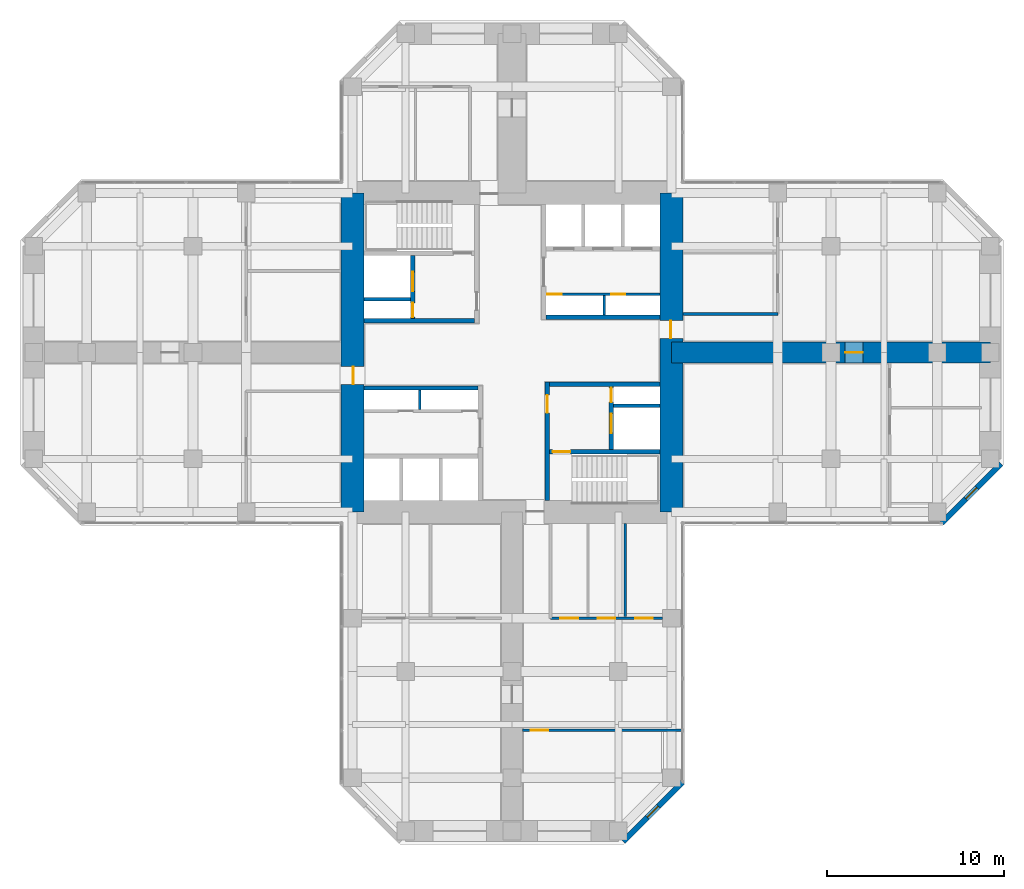
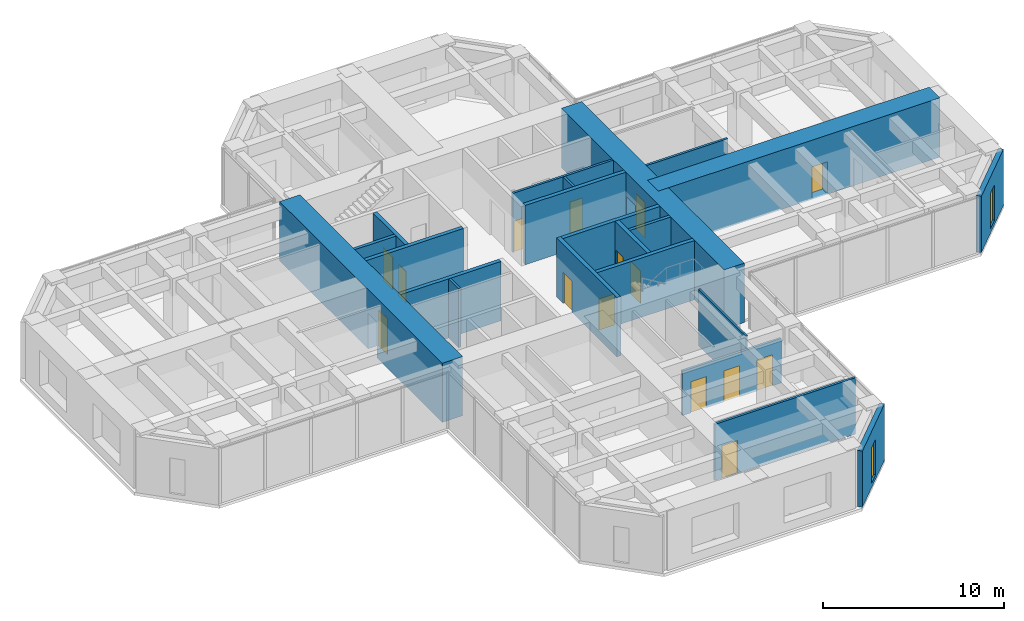
# One storey, part 9 of 12: 22 walls, 15 doors, 2 windows, 17 openings.
"""IFC4 building model written with IfcOpenShell, lengths in metres."""

from ifc_helpers import new_model, si_unit, direction, frame, frame_2d, origin, place, context, subcontext, project, spatial, rectangle, hollow_rectangle, extrude, material, layer, layer_set, constituent, constituent_set, type_object, element, fill, save


model = new_model("IFC4")

# Units and contexts
model_context = context("Model", 3, precision=1e-05, world=origin(), true_north=direction((0.0, 1.0)))
body_context = subcontext(model_context, "Body", "Model", "MODEL_VIEW")
ifc_project = project(units=[si_unit("LENGTHUNIT", "METRE"), si_unit("AREAUNIT", "SQUARE_METRE"), si_unit("VOLUMEUNIT", "CUBIC_METRE"), si_unit("PLANEANGLEUNIT", "RADIAN"), si_unit("MASSUNIT", "GRAM", prefix="KILO")], contexts=[model_context])

# Site, building, storey
site_placement = place(None, origin())
site = spatial("IfcSite", under=ifc_project, at=site_placement, CompositionType="ELEMENT")
building_placement = place(site_placement, origin())
building = spatial("IfcBuilding", under=site, at=building_placement, Name="Torre Cruceta", CompositionType="ELEMENT")
storey_placement = place(building_placement, frame((0.0, 0.0, 120.5)))
storey = spatial("IfcBuildingStorey", under=building, at=storey_placement, Name="L29", CompositionType="ELEMENT", Elevation=120.5)

# Walls
ifc_material_1 = material(Name="Concrete G60 (fck 60 MPa)", Category="concrete")
ifc_layer_1 = layer(ifc_material_1, 0.25)
ifc_layer_set_1 = layer_set([ifc_layer_1], Name="Concrete G60 (fck 60 MPa)")
wall_type_1 = type_object("IfcWallType", Name="CORE INNER WALL 250 G60", PredefinedType="SHEAR", material=ifc_layer_set_1)
wall_1_placement = place(storey_placement, frame((1.925048828125, 2.0, 0.0), z_axis=(0.0, 0.0, 1.0), x_axis=(1.0, 0.0, 0.0)))
element("IfcWall", 1, at=wall_1_placement, inside=storey, type_object=wall_type_1, Name="CW4 L29 NE-CV", PredefinedType="SHEAR", context=body_context, shape_type="SweptSolid", body=[
    extrude(rectangle(XDim=6.425048828125, YDim=0.25, at=frame_2d((3.21240234375, 0.0))), origin(), (0.0, 0.0, 1.0), 4.0),
])
wall_2_placement = place(storey_placement, frame((-2.125, 1.800048828125, 0.0), z_axis=(0.0, 0.0, 1.0), x_axis=(-1.0, 0.0, 0.0)))
element("IfcWall", 2, at=wall_2_placement, inside=storey, type_object=wall_type_1, Name="CW4 L29 NW-CV", PredefinedType="SHEAR", context=body_context, shape_type="SweptSolid", body=[
    extrude(rectangle(XDim=6.22509765625, YDim=0.25, at=frame_2d((3.112548828125, 0.0))), origin(), (0.0, 0.0, 1.0), 4.0),
])

# Wall, openings, doors
wall_3_placement = place(storey_placement, frame((-5.60009765625, 1.925048828125, 0.0), z_axis=(0.0, 0.0, 1.0), x_axis=(0.0, 1.0, 0.0)))
wall_3 = element("IfcWall", 3, at=wall_3_placement, inside=storey, type_object=wall_type_1, Name="CW4 L29 NW-FU", PredefinedType="SHEAR", context=body_context, shape_type="SweptSolid", body=[
    extrude(rectangle(XDim=3.550048828125, YDim=0.25, at=frame_2d((1.77490234375, 0.0))), origin(), (0.0, 0.0, 1.0), 4.0),
])
opening_1_placement = place(wall_3_placement, frame((1.52490234375, 0.0, 0.0)))
opening_1 = element("IfcOpeningElement", 4, at=opening_1_placement, cuts=wall_3, Name="Opening LD1", PredefinedType="OPENING", context=body_context, shape_type="SweptSolid", body=[
    extrude(rectangle(XDim=1.10009765625, YDim=2.199951171875, at=frame_2d((0.550048828125, 1.10009765625))), frame((0.0, 0.135009765625, 0.0), z_axis=(0.0, -1.0, 0.0), x_axis=(1.0, 0.0, 0.0)), (0.0, 0.0, 1.0), 0.27001953125),
])
opening_2_placement = place(wall_3_placement, frame((0.074951171875, 0.0, 0.0)))
opening_2 = element("IfcOpeningElement", 5, at=opening_2_placement, cuts=wall_3, Name="Opening D5", PredefinedType="OPENING", context=body_context, shape_type="SweptSolid", body=[
    extrude(rectangle(XDim=0.800048828125, YDim=2.10009765625, at=frame_2d((0.39990234375, 1.050048828125))), frame((0.0, 0.135009765625, 0.0), z_axis=(0.0, -1.0, 0.0), x_axis=(1.0, 0.0, 0.0)), (0.0, 0.0, 1.0), 0.27001953125),
])
ifc_material_2 = material(Name="Stainless steel 1.4401", Category="steel")
door_type_1 = type_object("IfcDoorType", Name="LIFT LANDING DOOR 1100X2200", OperationType="DOUBLE_DOOR_SLIDING", PredefinedType="DOOR", material=ifc_material_2)
door_1_placement = place(opening_1_placement, origin())
door_1 = element("IfcDoor", 6, at=door_1_placement, inside=storey, type_object=door_type_1, Name="Lift landing door FL1", OperationType="DOUBLE_DOOR_SLIDING", OverallHeight=2.199951171875, OverallWidth=1.10009765625, PredefinedType="DOOR", context=body_context, shape_type="SweptSolid", body=[
    extrude(rectangle(XDim=1.10009765625, YDim=2.199951171875, at=frame_2d((0.550048828125, 1.10009765625))), frame((0.0, 0.02490234375, 0.0), z_axis=(0.0, -1.0, 0.0), x_axis=(1.0, 0.0, 0.0)), (0.0, 0.0, 1.0), 0.050048828125),
])
fill(opening_1, door_1)
ifc_material_3 = material(Name="Steel DX51D", Category="steel")
ifc_constituent_1 = constituent(ifc_material_3, Name="Leaf and frame")
ifc_material_4 = material(Name="Polyester powder coating", Category="paint")
ifc_constituent_2 = constituent(ifc_material_4, Name="Finish")
ifc_constituent_set_1 = constituent_set(constituents=[ifc_constituent_1, ifc_constituent_2], Name="Steel fire door")
door_type_2 = type_object("IfcDoorType", Name="RISER ACCESS DOOR 800X2100", OperationType="SINGLE_SWING_LEFT", PredefinedType="DOOR", material=ifc_constituent_set_1)
door_2_placement = place(opening_2_placement, origin())
door_2 = element("IfcDoor", 7, at=door_2_placement, inside=storey, type_object=door_type_2, Name="D5 L29 NW-RISER", OperationType="SINGLE_SWING_LEFT", OverallHeight=2.10009765625, OverallWidth=0.800048828125, PredefinedType="DOOR", context=body_context, shape_type="SweptSolid", body=[
    extrude(rectangle(XDim=0.800048828125, YDim=2.10009765625, at=frame_2d((0.39990234375, 1.050048828125))), frame((0.0, 0.02490234375, 0.0), z_axis=(0.0, -1.0, 0.0), x_axis=(1.0, 0.0, 0.0)), (0.0, 0.0, 1.0), 0.050048828125),
])
fill(opening_2, door_2)

# Wall
wall_4_placement = place(storey_placement, frame((-1.925048828125, -2.0, 0.0), z_axis=(0.0, 0.0, 1.0), x_axis=(-1.0, 0.0, 0.0)))
element("IfcWall", 8, at=wall_4_placement, inside=storey, type_object=wall_type_1, Name="CW4 L29 SW-CV", PredefinedType="SHEAR", context=body_context, shape_type="SweptSolid", body=[
    extrude(rectangle(XDim=6.425048828125, YDim=0.25, at=frame_2d((3.21240234375, 0.0))), origin(), (0.0, 0.0, 1.0), 4.0),
])

# Wall, opening, door
wall_5_placement = place(storey_placement, frame((2.0, -1.675048828125, 0.0), z_axis=(0.0, 0.0, 1.0), x_axis=(0.0, -1.0, 0.0)))
wall_5 = element("IfcWall", 9, at=wall_5_placement, inside=storey, type_object=wall_type_1, Name="CW4 L29 SE-CU", PredefinedType="SHEAR", context=body_context, shape_type="SweptSolid", body=[
    extrude(rectangle(XDim=6.675048828125, YDim=0.25, at=frame_2d((3.33740234375, 0.0))), origin(), (0.0, 0.0, 1.0), 4.0),
])
opening_3_placement = place(wall_5_placement, frame((0.72509765625, 0.0, 0.0)))
opening_3 = element("IfcOpeningElement", 10, at=opening_3_placement, cuts=wall_5, Name="Opening D3", PredefinedType="OPENING", context=body_context, shape_type="SweptSolid", body=[
    extrude(rectangle(XDim=1.0, YDim=2.10009765625, at=frame_2d((0.5, 1.050048828125))), frame((0.0, 0.135009765625, 0.0), z_axis=(0.0, -1.0, 0.0), x_axis=(1.0, 0.0, 0.0)), (0.0, 0.0, 1.0), 0.27001953125),
])
ifc_material_5 = material(Name="Steel DX51D", Category="steel")
ifc_constituent_3 = constituent(ifc_material_5, Name="Leaf and frame")
ifc_material_6 = material(Name="Polyester powder coating", Category="paint")
ifc_constituent_4 = constituent(ifc_material_6, Name="Finish")
ifc_constituent_set_2 = constituent_set(constituents=[ifc_constituent_3, ifc_constituent_4], Name="Steel fire door")
door_type_3 = type_object("IfcDoorType", Name="FIRE DOOR 1000X2100", OperationType="SINGLE_SWING_LEFT", PredefinedType="DOOR", material=ifc_constituent_set_2)
door_3_placement = place(opening_3_placement, origin())
door_3 = element("IfcDoor", 11, at=door_3_placement, inside=storey, type_object=door_type_3, Name="D3 L29 SE-LOBBY", OperationType="SINGLE_SWING_LEFT", OverallHeight=2.10009765625, OverallWidth=1.0, PredefinedType="DOOR", context=body_context, shape_type="SweptSolid", body=[
    extrude(rectangle(XDim=1.0, YDim=2.10009765625, at=frame_2d((0.5, 1.050048828125))), frame((0.0, 0.02490234375, 0.0), z_axis=(0.0, -1.0, 0.0), x_axis=(1.0, 0.0, 0.0)), (0.0, 0.0, 1.0), 0.050048828125),
])
fill(opening_3, door_3)

# Wall
wall_6_placement = place(storey_placement, frame((2.125, -1.800048828125, 0.0), z_axis=(0.0, 0.0, 1.0), x_axis=(1.0, 0.0, 0.0)))
element("IfcWall", 12, at=wall_6_placement, inside=storey, type_object=wall_type_1, Name="CW4 L29 SE-CV", PredefinedType="SHEAR", context=body_context, shape_type="SweptSolid", body=[
    extrude(rectangle(XDim=6.22509765625, YDim=0.25, at=frame_2d((3.112548828125, 0.0))), origin(), (0.0, 0.0, 1.0), 4.0),
])

# Wall, opening, door
wall_7_placement = place(storey_placement, frame((2.125, -5.60009765625, 0.0), z_axis=(0.0, 0.0, 1.0), x_axis=(1.0, 0.0, 0.0)))
wall_7 = element("IfcWall", 13, at=wall_7_placement, inside=storey, type_object=wall_type_1, Name="CW4 L29 SE-SV", PredefinedType="SHEAR", context=body_context, shape_type="SweptSolid", body=[
    extrude(rectangle(XDim=6.22509765625, YDim=0.25, at=frame_2d((3.112548828125, 0.0))), origin(), (0.0, 0.0, 1.0), 4.0),
])
opening_4_placement = place(wall_7_placement, frame((0.175048828125, 0.0, 0.0)))
opening_4 = element("IfcOpeningElement", 14, at=opening_4_placement, cuts=wall_7, Name="Opening D3", PredefinedType="OPENING", context=body_context, shape_type="SweptSolid", body=[
    extrude(rectangle(XDim=1.0, YDim=2.10009765625, at=frame_2d((0.5, 1.050048828125))), frame((0.0, 0.135009765625, 0.0), z_axis=(0.0, -1.0, 0.0), x_axis=(1.0, 0.0, 0.0)), (0.0, 0.0, 1.0), 0.27001953125),
])
door_4_placement = place(opening_4_placement, frame((1.0, 0.0, 0.0), z_axis=(0.0, 0.0, 1.0), x_axis=(-1.0, 0.0, 0.0)))
door_4 = element("IfcDoor", 15, at=door_4_placement, inside=storey, type_object=door_type_3, Name="D3 L29 SE-STAIR", OperationType="SINGLE_SWING_RIGHT", OverallHeight=2.10009765625, OverallWidth=1.0, PredefinedType="DOOR", context=body_context, shape_type="SweptSolid", body=[
    extrude(rectangle(XDim=1.0, YDim=2.10009765625, at=frame_2d((0.5, 1.050048828125))), frame((0.0, 0.025146484375, 0.0), z_axis=(0.0, -1.0, 0.0), x_axis=(1.0, 0.0, 0.0)), (0.0, 0.0, 1.0), 0.050048828125),
])
fill(opening_4, door_4)

# Wall, openings, doors
wall_8_placement = place(storey_placement, frame((5.60009765625, -1.925048828125, 0.0), z_axis=(0.0, 0.0, 1.0), x_axis=(0.0, -1.0, 0.0)))
wall_8 = element("IfcWall", 16, at=wall_8_placement, inside=storey, type_object=wall_type_1, Name="CW4 L29 SE-FU", PredefinedType="SHEAR", context=body_context, shape_type="SweptSolid", body=[
    extrude(rectangle(XDim=3.550048828125, YDim=0.25, at=frame_2d((1.77490234375, 0.0))), origin(), (0.0, 0.0, 1.0), 4.0),
])
opening_5_placement = place(wall_8_placement, frame((1.52490234375, 0.0, 0.0)))
opening_5 = element("IfcOpeningElement", 17, at=opening_5_placement, cuts=wall_8, Name="Opening LD1", PredefinedType="OPENING", context=body_context, shape_type="SweptSolid", body=[
    extrude(rectangle(XDim=1.10009765625, YDim=2.199951171875, at=frame_2d((0.550048828125, 1.10009765625))), frame((0.0, 0.135009765625, 0.0), z_axis=(0.0, -1.0, 0.0), x_axis=(1.0, 0.0, 0.0)), (0.0, 0.0, 1.0), 0.27001953125),
])
opening_6_placement = place(wall_8_placement, frame((0.074951171875, 0.0, 0.0)))
opening_6 = element("IfcOpeningElement", 18, at=opening_6_placement, cuts=wall_8, Name="Opening D5", PredefinedType="OPENING", context=body_context, shape_type="SweptSolid", body=[
    extrude(rectangle(XDim=0.800048828125, YDim=2.10009765625, at=frame_2d((0.39990234375, 1.050048828125))), frame((0.0, 0.135009765625, 0.0), z_axis=(0.0, -1.0, 0.0), x_axis=(1.0, 0.0, 0.0)), (0.0, 0.0, 1.0), 0.27001953125),
])
door_5_placement = place(opening_5_placement, origin())
door_5 = element("IfcDoor", 19, at=door_5_placement, inside=storey, type_object=door_type_1, Name="Lift landing door FL2", OperationType="DOUBLE_DOOR_SLIDING", OverallHeight=2.199951171875, OverallWidth=1.10009765625, PredefinedType="DOOR", context=body_context, shape_type="SweptSolid", body=[
    extrude(rectangle(XDim=1.10009765625, YDim=2.199951171875, at=frame_2d((0.550048828125, 1.10009765625))), frame((0.0, 0.02490234375, 0.0), z_axis=(0.0, -1.0, 0.0), x_axis=(1.0, 0.0, 0.0)), (0.0, 0.0, 1.0), 0.050048828125),
])
fill(opening_5, door_5)
door_6_placement = place(opening_6_placement, origin())
door_6 = element("IfcDoor", 20, at=door_6_placement, inside=storey, type_object=door_type_2, Name="D5 L29 SE-RISER", OperationType="SINGLE_SWING_LEFT", OverallHeight=2.10009765625, OverallWidth=0.800048828125, PredefinedType="DOOR", context=body_context, shape_type="SweptSolid", body=[
    extrude(rectangle(XDim=0.800048828125, YDim=2.10009765625, at=frame_2d((0.39990234375, 1.050048828125))), frame((0.0, 0.02490234375, 0.0), z_axis=(0.0, -1.0, 0.0), x_axis=(1.0, 0.0, 0.0)), (0.0, 0.0, 1.0), 0.050048828125),
])
fill(opening_6, door_6)

# Wall, opening, door
ifc_material_7 = material(Name="Concrete G60 (fck 60 MPa)", Category="concrete")
ifc_layer_2 = layer(ifc_material_7, 1.300048828125)
ifc_layer_set_2 = layer_set([ifc_layer_2], Name="Concrete G60 (fck 60 MPa)")
wall_type_2 = type_object("IfcWallType", Name="CORE WALL 1300 G60", PredefinedType="SHEAR", material=ifc_layer_set_2)
wall_9_placement = place(storey_placement, frame((9.0, -9.0, 0.0), z_axis=(0.0, 0.0, 1.0), x_axis=(0.0, 1.0, 0.0)))
wall_9 = element("IfcWall", 21, at=wall_9_placement, inside=storey, type_object=wall_type_2, Name="CW1 L29 CW-E", PredefinedType="SHEAR", context=body_context, shape_type="SweptSolid", body=[
    extrude(rectangle(XDim=18.0, YDim=1.300048828125, at=frame_2d((9.0, 0.0))), origin(), (0.0, 0.0, 1.0), 4.0),
])
opening_7_placement = place(wall_9_placement, frame((9.800048828125, 0.0, 0.0)))
opening_7 = element("IfcOpeningElement", 22, at=opening_7_placement, cuts=wall_9, Name="Opening D4", PredefinedType="OPENING", context=body_context, shape_type="SweptSolid", body=[
    extrude(rectangle(XDim=1.0, YDim=2.39990234375, at=frame_2d((0.5, 1.199951171875))), frame((0.0, 0.659912109375, 0.0), z_axis=(0.0, -1.0, 0.0), x_axis=(1.0, 0.0, 0.0)), (0.0, 0.0, 1.0), 1.320068359375),
])
ifc_material_8 = material(Name="Steel DX51D", Category="steel")
ifc_constituent_5 = constituent(ifc_material_8, Name="Leaf and frame")
ifc_material_9 = material(Name="Polyester powder coating", Category="paint")
ifc_constituent_6 = constituent(ifc_material_9, Name="Finish")
ifc_constituent_set_3 = constituent_set(constituents=[ifc_constituent_5, ifc_constituent_6], Name="Steel fire door")
door_type_4 = type_object("IfcDoorType", Name="CORE ARM DOOR 1000X2400", OperationType="SINGLE_SWING_RIGHT", PredefinedType="DOOR", material=ifc_constituent_set_3)
door_7_placement = place(opening_7_placement, frame((1.0, 0.0, 0.0), z_axis=(0.0, 0.0, 1.0), x_axis=(-1.0, 0.0, 0.0)))
door_7 = element("IfcDoor", 23, at=door_7_placement, inside=storey, type_object=door_type_4, Name="D4 L29 CW-E", OperationType="SINGLE_SWING_RIGHT", OverallHeight=2.39990234375, OverallWidth=1.0, PredefinedType="DOOR", context=body_context, shape_type="SweptSolid", body=[
    extrude(rectangle(XDim=1.0, YDim=2.39990234375, at=frame_2d((0.5, 1.199951171875))), frame((0.0, -0.005126953125, 0.0), z_axis=(0.0, -1.0, 0.0), x_axis=(1.0, 0.0, 0.0)), (0.0, 0.0, 1.0), 0.050048828125),
])
fill(opening_7, door_7)

wall_10_placement = place(storey_placement, frame((-9.0, 9.0, 0.0), z_axis=(0.0, 0.0, 1.0), x_axis=(0.0, -1.0, 0.0)))
wall_10 = element("IfcWall", 24, at=wall_10_placement, inside=storey, type_object=wall_type_2, Name="CW1 L29 CW-W", PredefinedType="SHEAR", context=body_context, shape_type="SweptSolid", body=[
    extrude(rectangle(XDim=18.0, YDim=1.300048828125, at=frame_2d((9.0, 0.0))), origin(), (0.0, 0.0, 1.0), 4.0),
])
opening_8_placement = place(wall_10_placement, frame((9.800048828125, 0.0, 0.0)))
opening_8 = element("IfcOpeningElement", 25, at=opening_8_placement, cuts=wall_10, Name="Opening D4", PredefinedType="OPENING", context=body_context, shape_type="SweptSolid", body=[
    extrude(rectangle(XDim=1.0, YDim=2.39990234375, at=frame_2d((0.5, 1.199951171875))), frame((0.0, 0.659912109375, 0.0), z_axis=(0.0, -1.0, 0.0), x_axis=(1.0, 0.0, 0.0)), (0.0, 0.0, 1.0), 1.320068359375),
])
door_8_placement = place(opening_8_placement, frame((1.0, 0.0, 0.0), z_axis=(0.0, 0.0, 1.0), x_axis=(-1.0, 0.0, 0.0)))
door_8 = element("IfcDoor", 26, at=door_8_placement, inside=storey, type_object=door_type_4, Name="D4 L29 CW-W", OperationType="SINGLE_SWING_RIGHT", OverallHeight=2.39990234375, OverallWidth=1.0, PredefinedType="DOOR", context=body_context, shape_type="SweptSolid", body=[
    extrude(rectangle(XDim=1.0, YDim=2.39990234375, at=frame_2d((0.5, 1.199951171875))), frame((0.0, -0.005126953125, 0.0), z_axis=(0.0, -1.0, 0.0), x_axis=(1.0, 0.0, 0.0)), (0.0, 0.0, 1.0), 0.050048828125),
])
fill(opening_8, door_8)

# Wall, opening, window
ifc_material_10 = material(Name="Concrete G30 (fck 30 MPa)", Category="concrete")
ifc_layer_3 = layer(ifc_material_10, 0.300048828125)
ifc_layer_set_3 = layer_set([ifc_layer_3], Name="Concrete G30 (fck 30 MPa)")
wall_type_3 = type_object("IfcWallType", Name="EXPOSED CONCRETE FACADE WALL 300", PredefinedType="SOLIDWALL", material=ifc_layer_set_3)
wall_11_placement = place(storey_placement, frame((24.2568359375, -9.6201171875, 0.0), z_axis=(0.0, 0.0, 1.0), x_axis=(0.707106781187, 0.707106781187, 0.0)))
wall_11 = element("IfcWall", 27, at=wall_11_placement, inside=storey, type_object=wall_type_3, Name="EW1 facade wall L29 E chamfer 01", PredefinedType="SOLIDWALL", context=body_context, shape_type="SweptSolid", body=[
    extrude(rectangle(XDim=4.72802734375, YDim=0.300048828125, at=frame_2d((2.364013671875, 0.0))), origin(), (0.0, 0.0, 1.0), 3.800048828125),
])
opening_9_placement = place(wall_11_placement, frame((1.9140625, 0.0, 0.300048828125)))
opening_9 = element("IfcOpeningElement", 28, at=opening_9_placement, cuts=wall_11, Name="Opening WN5", PredefinedType="OPENING", context=body_context, shape_type="SweptSolid", body=[
    extrude(rectangle(XDim=0.89990234375, YDim=2.39990234375, at=frame_2d((0.449951171875, 1.199951171875))), frame((0.0, 0.159912109375, 0.0), z_axis=(0.0, -1.0, 0.0), x_axis=(1.0, 0.0, 0.0)), (0.0, 0.0, 1.0), 0.320068359375),
])
ifc_material_11 = material(Name="Aluminium window frame", Category="aluminium")
ifc_constituent_7 = constituent(ifc_material_11, Name="Frame")
ifc_material_12 = material(Name="Laminated insulating glass unit, low-iron clear", Category="glass")
ifc_constituent_8 = constituent(ifc_material_12, Name="Glazing")
ifc_constituent_set_4 = constituent_set(constituents=[ifc_constituent_7, ifc_constituent_8], Name="Aluminium window")
window_type = type_object("IfcWindowType", Name="CHAMFER SLOT WINDOW 900X2400", PartitioningType="SINGLE_PANEL", PredefinedType="WINDOW", material=ifc_constituent_set_4)
window_1_placement = place(opening_9_placement, origin())
window_1 = element("IfcWindow", 29, at=window_1_placement, inside=storey, type_object=window_type, Name="WN5 L29 E 1", OverallHeight=2.39990234375, OverallWidth=0.89990234375, PartitioningType="SINGLE_PANEL", PredefinedType="WINDOW", context=body_context, shape_type="SweptSolid", body=[
    extrude(hollow_rectangle(XDim=0.89990234375, YDim=2.39990234375, WallThickness=0.06005859375, at=frame_2d((0.449951171875, 1.199951171875))), frame((0.0, 0.030029296875, 0.0), z_axis=(0.0, -1.0, 0.0), x_axis=(1.0, 0.0, 0.0)), (0.0, 0.0, 1.0), 0.06005859375),
    extrude(rectangle(XDim=0.77880859375, YDim=2.27880859375, at=frame_2d((0.449951171875, 1.199951171875))), frame((0.0, 0.030029296875, 0.0), z_axis=(0.0, -1.0, 0.0), x_axis=(1.0, 0.0, 0.0)), (0.0, 0.0, 1.0), 0.06005859375),
])
fill(opening_9, window_1)

wall_12_placement = place(storey_placement, frame((6.27685546875, -27.60009765625, 0.0), z_axis=(0.0, 0.0, 1.0), x_axis=(0.707106781187, 0.707106781187, 0.0)))
wall_12 = element("IfcWall", 30, at=wall_12_placement, inside=storey, type_object=wall_type_3, Name="EW1 facade wall L29 S chamfer 18", PredefinedType="SOLIDWALL", context=body_context, shape_type="SweptSolid", body=[
    extrude(rectangle(XDim=4.72802734375, YDim=0.300048828125, at=frame_2d((2.364013671875, 0.0))), origin(), (0.0, 0.0, 1.0), 3.800048828125),
])
opening_10_placement = place(wall_12_placement, frame((1.9140625, 0.0, 0.300048828125)))
opening_10 = element("IfcOpeningElement", 31, at=opening_10_placement, cuts=wall_12, Name="Opening WN5", PredefinedType="OPENING", context=body_context, shape_type="SweptSolid", body=[
    extrude(rectangle(XDim=0.89990234375, YDim=2.39990234375, at=frame_2d((0.449951171875, 1.199951171875))), frame((0.0, 0.159912109375, 0.0), z_axis=(0.0, -1.0, 0.0), x_axis=(1.0, 0.0, 0.0)), (0.0, 0.0, 1.0), 0.320068359375),
])
window_2_placement = place(opening_10_placement, origin())
window_2 = element("IfcWindow", 32, at=window_2_placement, inside=storey, type_object=window_type, Name="WN5 L29 S 1", OverallHeight=2.39990234375, OverallWidth=0.89990234375, PartitioningType="SINGLE_PANEL", PredefinedType="WINDOW", context=body_context, shape_type="SweptSolid", body=[
    extrude(hollow_rectangle(XDim=0.89990234375, YDim=2.39990234375, WallThickness=0.06005859375, at=frame_2d((0.449951171875, 1.199951171875))), frame((0.0, 0.030029296875, 0.0), z_axis=(0.0, -1.0, 0.0), x_axis=(1.0, 0.0, 0.0)), (0.0, 0.0, 1.0), 0.06005859375),
    extrude(rectangle(XDim=0.77880859375, YDim=2.27880859375, at=frame_2d((0.449951171875, 1.199951171875))), frame((0.0, 0.030029296875, 0.0), z_axis=(0.0, -1.0, 0.0), x_axis=(1.0, 0.0, 0.0)), (0.0, 0.0, 1.0), 0.06005859375),
])
fill(opening_10, window_2)

# Walls
ifc_material_13 = material(Name="Concrete G35 (fck 35 MPa)", Category="concrete")
ifc_layer_4 = layer(ifc_material_13, 0.199951171875)
ifc_layer_set_4 = layer_set([ifc_layer_4], Name="Concrete G35 (fck 35 MPa)")
wall_type_4 = type_object("IfcWallType", Name="LIFT SHAFT WALL 200", PredefinedType="PARTITIONING", material=ifc_layer_set_4)
for number, where, z_axis, x_axis, name in (
    (33, (-5.72509765625, 3.0, 0.0), (0.0, 0.0, 1.0), (-1.0, 0.0, 0.0), "SW1 L29 NW-FR"),
    (34, (5.72509765625, -3.0, 0.0), (0.0, 0.0, 1.0), (1.0, 0.0, 0.0), "SW1 L29 SE-FR"),
):
    element("IfcWall", number, at=place(storey_placement, frame(where, z_axis=z_axis, x_axis=x_axis)), inside=storey, type_object=wall_type_4, Name=name, PredefinedType="PARTITIONING", context=body_context, shape_type="SweptSolid", body=[
        extrude(rectangle(XDim=2.625, YDim=0.199951171875, at=frame_2d((1.3125, 0.0))), origin(), (0.0, 0.0, 1.0), 4.0),
    ])
ifc_material_14 = material(Name="Plasterboard on steel studs", Category="steel")
ifc_layer_5 = layer(ifc_material_14, 0.14990234375)
ifc_layer_set_5 = layer_set([ifc_layer_5], Name="Plasterboard on steel studs")
wall_type_5 = type_object("IfcWallType", Name="PARTITION 150", PredefinedType="PARTITIONING", material=ifc_layer_set_5)
wall_13_placement = place(storey_placement, frame((9.64990234375, 2.175048828125, 0.0), z_axis=(0.0, 0.0, 1.0), x_axis=(1.0, 0.0, 0.0)))
element("IfcWall", 35, at=wall_13_placement, inside=storey, type_object=wall_type_5, Name="PT1 L29-E-BSL", PredefinedType="PARTITIONING", context=body_context, shape_type="SweptSolid", body=[
    extrude(rectangle(XDim=5.35009765625, YDim=0.14990234375, at=frame_2d((2.675048828125, 0.0))), origin(), (0.0, 0.0, 1.0), 3.800048828125),
])

# Wall, openings, doors
wall_14_placement = place(storey_placement, frame((2.175048828125, -15.0, 0.0), z_axis=(0.0, 0.0, 1.0), x_axis=(1.0, 0.0, 0.0)))
wall_14 = element("IfcWall", 36, at=wall_14_placement, inside=storey, type_object=wall_type_5, Name="PT1 L29-S-BFL", PredefinedType="PARTITIONING", context=body_context, shape_type="SweptSolid", body=[
    extrude(rectangle(XDim=6.324951171875, YDim=0.14990234375, at=frame_2d((3.16259765625, 0.0))), origin(), (0.0, 0.0, 1.0), 3.0),
])
opening_11_placement = place(wall_14_placement, frame((0.55419921875, 0.0, 0.0)))
opening_11 = element("IfcOpeningElement", 37, at=opening_11_placement, cuts=wall_14, Name="Opening D3", PredefinedType="OPENING", context=body_context, shape_type="SweptSolid", body=[
    extrude(rectangle(XDim=1.0, YDim=2.10009765625, at=frame_2d((0.5, 1.050048828125))), frame((0.0, 0.0849609375, 0.0), z_axis=(0.0, -1.0, 0.0), x_axis=(1.0, 0.0, 0.0)), (0.0, 0.0, 1.0), 0.169921875),
])
opening_12_placement = place(wall_14_placement, frame((2.66259765625, 0.0, 0.0)))
opening_12 = element("IfcOpeningElement", 38, at=opening_12_placement, cuts=wall_14, Name="Opening D3", PredefinedType="OPENING", context=body_context, shape_type="SweptSolid", body=[
    extrude(rectangle(XDim=1.0, YDim=2.10009765625, at=frame_2d((0.5, 1.050048828125))), frame((0.0, 0.0849609375, 0.0), z_axis=(0.0, -1.0, 0.0), x_axis=(1.0, 0.0, 0.0)), (0.0, 0.0, 1.0), 0.169921875),
])
opening_13_placement = place(wall_14_placement, frame((4.770751953125, 0.0, 0.0)))
opening_13 = element("IfcOpeningElement", 39, at=opening_13_placement, cuts=wall_14, Name="Opening D3", PredefinedType="OPENING", context=body_context, shape_type="SweptSolid", body=[
    extrude(rectangle(XDim=1.0, YDim=2.10009765625, at=frame_2d((0.5, 1.050048828125))), frame((0.0, 0.0849609375, 0.0), z_axis=(0.0, -1.0, 0.0), x_axis=(1.0, 0.0, 0.0)), (0.0, 0.0, 1.0), 0.169921875),
])
door_9_placement = place(opening_11_placement, origin())
door_9 = element("IfcDoor", 40, at=door_9_placement, inside=storey, type_object=door_type_3, Name="D3 L29-S-BFL-D1", OperationType="SINGLE_SWING_LEFT", OverallHeight=2.10009765625, OverallWidth=1.0, PredefinedType="DOOR", context=body_context, shape_type="SweptSolid", body=[
    extrude(rectangle(XDim=1.0, YDim=2.10009765625, at=frame_2d((0.5, 1.050048828125))), frame((0.0, 0.02490234375, 0.0), z_axis=(0.0, -1.0, 0.0), x_axis=(1.0, 0.0, 0.0)), (0.0, 0.0, 1.0), 0.050048828125),
])
fill(opening_11, door_9)
door_10_placement = place(opening_12_placement, origin())
door_10 = element("IfcDoor", 41, at=door_10_placement, inside=storey, type_object=door_type_3, Name="D3 L29-S-BFL-D2", OperationType="SINGLE_SWING_LEFT", OverallHeight=2.10009765625, OverallWidth=1.0, PredefinedType="DOOR", context=body_context, shape_type="SweptSolid", body=[
    extrude(rectangle(XDim=1.0, YDim=2.10009765625, at=frame_2d((0.5, 1.050048828125))), frame((0.0, 0.02490234375, 0.0), z_axis=(0.0, -1.0, 0.0), x_axis=(1.0, 0.0, 0.0)), (0.0, 0.0, 1.0), 0.050048828125),
])
fill(opening_12, door_10)
door_11_placement = place(opening_13_placement, origin())
door_11 = element("IfcDoor", 42, at=door_11_placement, inside=storey, type_object=door_type_3, Name="D3 L29-S-BFL-D3", OperationType="SINGLE_SWING_LEFT", OverallHeight=2.10009765625, OverallWidth=1.0, PredefinedType="DOOR", context=body_context, shape_type="SweptSolid", body=[
    extrude(rectangle(XDim=1.0, YDim=2.10009765625, at=frame_2d((0.5, 1.050048828125))), frame((0.0, 0.02490234375, 0.0), z_axis=(0.0, -1.0, 0.0), x_axis=(1.0, 0.0, 0.0)), (0.0, 0.0, 1.0), 0.050048828125),
])
fill(opening_13, door_11)

# Wall, opening, door
wall_15_placement = place(storey_placement, frame((0.60009765625, -21.320068359375, 0.0), z_axis=(0.0, 0.0, 1.0), x_axis=(1.0, 0.0, 0.0)))
wall_15 = element("IfcWall", 43, at=wall_15_placement, inside=storey, type_object=wall_type_5, Name="PT1 L29-S-TWL", PredefinedType="PARTITIONING", context=body_context, shape_type="SweptSolid", body=[
    extrude(rectangle(XDim=8.97998046875, YDim=0.14990234375, at=frame_2d((4.489990234375, 0.0))), origin(), (0.0, 0.0, 1.0), 3.800048828125),
])
opening_14_placement = place(wall_15_placement, frame((0.449951171875, 0.0, 0.0)))
opening_14 = element("IfcOpeningElement", 44, at=opening_14_placement, cuts=wall_15, Name="Opening D14", PredefinedType="OPENING", context=body_context, shape_type="SweptSolid", body=[
    extrude(rectangle(XDim=1.0, YDim=2.199951171875, at=frame_2d((0.5, 1.10009765625))), frame((0.0, 0.0849609375, 0.0), z_axis=(0.0, -1.0, 0.0), x_axis=(1.0, 0.0, 0.0)), (0.0, 0.0, 1.0), 0.169921875),
])
ifc_material_15 = material(Name="Steel DX51D", Category="steel")
ifc_constituent_9 = constituent(ifc_material_15, Name="Leaf and frame")
ifc_material_16 = material(Name="Polyester powder coating", Category="paint")
ifc_constituent_10 = constituent(ifc_material_16, Name="Finish")
ifc_material_17 = material(Name="Fire-resisting glass", Category="glass")
ifc_constituent_11 = constituent(ifc_material_17, Name="Vision panel")
ifc_constituent_set_5 = constituent_set(constituents=[ifc_constituent_9, ifc_constituent_10, ifc_constituent_11], Name="Steel fire door with vision panel")
door_type_5 = type_object("IfcDoorType", Name="FIRE DOOR VISION PANEL 1000X2200", OperationType="SINGLE_SWING_RIGHT", PredefinedType="DOOR", material=ifc_constituent_set_5)
door_12_placement = place(opening_14_placement, frame((1.0, 0.0, 0.0), z_axis=(0.0, 0.0, 1.0), x_axis=(-1.0, 0.0, 0.0)))
door_12 = element("IfcDoor", 45, at=door_12_placement, inside=storey, type_object=door_type_5, Name="D14 L29-S-TWL-D1", OperationType="SINGLE_SWING_RIGHT", OverallHeight=2.199951171875, OverallWidth=1.0, PredefinedType="DOOR", context=body_context, shape_type="SweptSolid", body=[
    extrude(rectangle(XDim=1.0, YDim=2.199951171875, at=frame_2d((0.5, 1.10009765625))), frame((0.0, 0.025146484375, 0.0), z_axis=(0.0, -1.0, 0.0), x_axis=(1.0, 0.0, 0.0)), (0.0, 0.0, 1.0), 0.050048828125),
])
fill(opening_14, door_12)

# Wall, openings, doors
ifc_material_18 = material(Name="Concrete block masonry", Category="masonry")
ifc_layer_6 = layer(ifc_material_18, 0.14990234375)
ifc_layer_set_6 = layer_set([ifc_layer_6], Name="Concrete block masonry")
wall_type_6 = type_object("IfcWallType", Name="RISER WALL 150", PredefinedType="PARTITIONING", material=ifc_layer_set_6)
wall_16_placement = place(storey_placement, frame((1.925048828125, 3.300048828125, 0.0), z_axis=(0.0, 0.0, 1.0), x_axis=(1.0, 0.0, 0.0)))
wall_16 = element("IfcWall", 46, at=wall_16_placement, inside=storey, type_object=wall_type_6, Name="SW7 L29 NE-RV", PredefinedType="PARTITIONING", context=body_context, shape_type="SweptSolid", body=[
    extrude(rectangle(XDim=6.425048828125, YDim=0.14990234375, at=frame_2d((3.21240234375, 0.0))), origin(), (0.0, 0.0, 1.0), 4.0),
])
opening_15_placement = place(wall_16_placement, frame((0.074951171875, 0.0, 0.0)))
opening_15 = element("IfcOpeningElement", 47, at=opening_15_placement, cuts=wall_16, Name="Opening D5", PredefinedType="OPENING", context=body_context, shape_type="SweptSolid", body=[
    extrude(rectangle(XDim=0.800048828125, YDim=2.10009765625, at=frame_2d((0.39990234375, 1.050048828125))), frame((0.0, 0.0849609375, 0.0), z_axis=(0.0, -1.0, 0.0), x_axis=(1.0, 0.0, 0.0)), (0.0, 0.0, 1.0), 0.169921875),
])
opening_16_placement = place(wall_16_placement, frame((3.675048828125, 0.0, 0.0)))
opening_16 = element("IfcOpeningElement", 48, at=opening_16_placement, cuts=wall_16, Name="Opening D5", PredefinedType="OPENING", context=body_context, shape_type="SweptSolid", body=[
    extrude(rectangle(XDim=0.800048828125, YDim=2.10009765625, at=frame_2d((0.39990234375, 1.050048828125))), frame((0.0, 0.0849609375, 0.0), z_axis=(0.0, -1.0, 0.0), x_axis=(1.0, 0.0, 0.0)), (0.0, 0.0, 1.0), 0.169921875),
])
door_13_placement = place(opening_15_placement, frame((0.800048828125, 0.0, 0.0), z_axis=(0.0, 0.0, 1.0), x_axis=(-1.0, 0.0, 0.0)))
door_13 = element("IfcDoor", 49, at=door_13_placement, inside=storey, type_object=door_type_2, Name="D5 L29 NE-RISER1", OperationType="SINGLE_SWING_RIGHT", OverallHeight=2.10009765625, OverallWidth=0.800048828125, PredefinedType="DOOR", context=body_context, shape_type="SweptSolid", body=[
    extrude(rectangle(XDim=0.800048828125, YDim=2.10009765625, at=frame_2d((0.400146484375, 1.050048828125))), frame((0.0, 0.025146484375, 0.0), z_axis=(0.0, -1.0, 0.0), x_axis=(1.0, 0.0, 0.0)), (0.0, 0.0, 1.0), 0.050048828125),
])
fill(opening_15, door_13)
door_14_placement = place(opening_16_placement, frame((0.800048828125, 0.0, 0.0), z_axis=(0.0, 0.0, 1.0), x_axis=(-1.0, 0.0, 0.0)))
door_14 = element("IfcDoor", 50, at=door_14_placement, inside=storey, type_object=door_type_2, Name="D5 L29 NE-RISER2", OperationType="SINGLE_SWING_RIGHT", OverallHeight=2.10009765625, OverallWidth=0.800048828125, PredefinedType="DOOR", context=body_context, shape_type="SweptSolid", body=[
    extrude(rectangle(XDim=0.800048828125, YDim=2.10009765625, at=frame_2d((0.400146484375, 1.050048828125))), frame((0.0, 0.025146484375, 0.0), z_axis=(0.0, -1.0, 0.0), x_axis=(1.0, 0.0, 0.0)), (0.0, 0.0, 1.0), 0.050048828125),
])
fill(opening_16, door_14)

# Walls
for number, where, z_axis, x_axis, name in (
    (51, (5.199951171875, 2.125, 0.0), (0.0, 0.0, 1.0), (0.0, 1.0, 0.0), "SW7 L29 NE-RU"),
    (52, (-5.199951171875, -2.125, 0.0), (0.0, 0.0, 1.0), (0.0, -1.0, 0.0), "SW7 L29 SW-RU"),
):
    element("IfcWall", number, at=place(storey_placement, frame(where, z_axis=z_axis, x_axis=x_axis)), inside=storey, type_object=wall_type_6, Name=name, PredefinedType="PARTITIONING", context=body_context, shape_type="SweptSolid", body=[
        extrude(rectangle(XDim=1.10009765625, YDim=0.14990234375, at=frame_2d((0.550048828125, 0.0))), origin(), (0.0, 0.0, 1.0), 4.0),
    ])

# Wall, opening, door
ifc_material_19 = material(Name="Concrete G60 (fck 60 MPa)", Category="concrete")
ifc_layer_7 = layer(ifc_material_19, 1.199951171875)
ifc_layer_set_7 = layer_set([ifc_layer_7], Name="Concrete G60 (fck 60 MPa)")
wall_type_7 = type_object("IfcWallType", Name="SPINE WALL 1200 G60", PredefinedType="SHEAR", material=ifc_layer_set_7)
wall_17_placement = place(storey_placement, frame((9.0, 0.0, 0.0), z_axis=(0.0, 0.0, 1.0), x_axis=(1.0, 0.0, 0.0)))
wall_17 = element("IfcWall", 53, at=wall_17_placement, inside=storey, type_object=wall_type_7, Name="SW3 spine wall L29 E", PredefinedType="SHEAR", context=body_context, shape_type="SweptSolid", body=[
    extrude(rectangle(XDim=18.0, YDim=1.199951171875, at=frame_2d((9.0, 0.0))), origin(), (0.0, 0.0, 1.0), 4.0),
])
opening_17_placement = place(wall_17_placement, frame((9.800048828125, 0.0, 0.0)))
opening_17 = element("IfcOpeningElement", 54, at=opening_17_placement, cuts=wall_17, Name="Opening D14", PredefinedType="OPENING", context=body_context, shape_type="SweptSolid", body=[
    extrude(rectangle(XDim=1.0, YDim=2.199951171875, at=frame_2d((0.5, 1.10009765625))), frame((0.0, 0.60986328125, 0.0), z_axis=(0.0, -1.0, 0.0), x_axis=(1.0, 0.0, 0.0)), (0.0, 0.0, 1.0), 1.219970703125),
])
door_15_placement = place(opening_17_placement, frame((1.0, 0.0, 0.0), z_axis=(0.0, 0.0, 1.0), x_axis=(-1.0, 0.0, 0.0)))
door_15 = element("IfcDoor", 55, at=door_15_placement, inside=storey, type_object=door_type_5, Name="D14 L29-E-SP1", OperationType="SINGLE_SWING_LEFT", OverallHeight=2.199951171875, OverallWidth=1.0, PredefinedType="DOOR", context=body_context, shape_type="SweptSolid", body=[
    extrude(rectangle(XDim=1.0, YDim=2.199951171875, at=frame_2d((0.5, 1.10009765625))), frame((0.0, 0.025146484375, 0.0), z_axis=(0.0, -1.0, 0.0), x_axis=(1.0, 0.0, 0.0)), (0.0, 0.0, 1.0), 0.050048828125),
])
fill(opening_17, door_15)

# Wall
ifc_material_20 = material(Name="Plasterboard on steel studs", Category="steel")
ifc_layer_8 = layer(ifc_material_20, 0.1201171875)
ifc_layer_set_8 = layer_set([ifc_layer_8], Name="Plasterboard on steel studs")
wall_type_8 = type_object("IfcWallType", Name="WC PARTITION 120", PredefinedType="PLUMBINGWALL", material=ifc_layer_set_8)
wall_18_placement = place(storey_placement, frame((6.3916015625, -9.64990234375, 0.0), z_axis=(0.0, 0.0, 1.0), x_axis=(0.0, -1.0, 0.0)))
element("IfcWall", 56, at=wall_18_placement, inside=storey, type_object=wall_type_8, Name="PT5 L29-S-BDL2", PredefinedType="PLUMBINGWALL", context=body_context, shape_type="SweptSolid", body=[
    extrude(rectangle(XDim=5.25, YDim=0.1201171875, at=frame_2d((2.625, 0.0))), origin(), (0.0, 0.0, 1.0), 3.800048828125),
])

save(model, "model.ifc")
